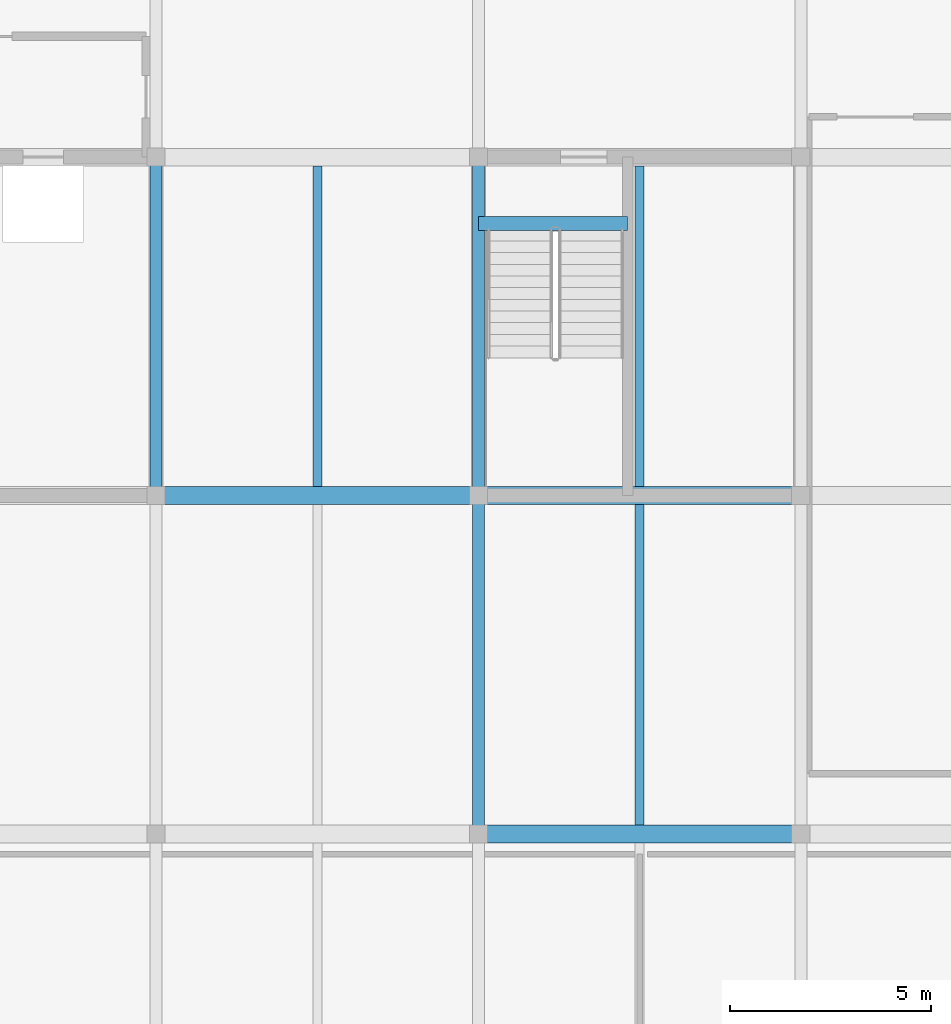
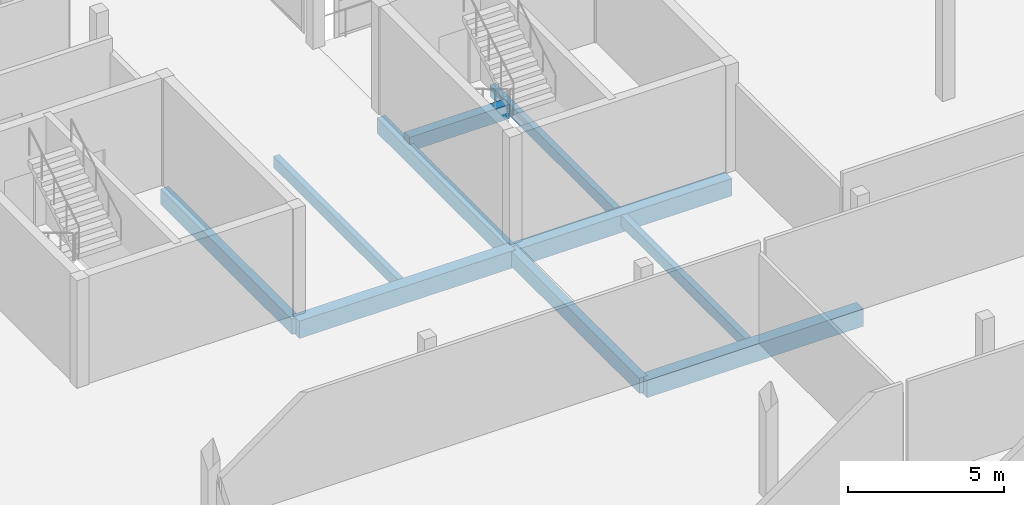
# One storey, part 18 of 53: 10 beams.
"""IFC4 building model written with IfcOpenShell, lengths in metres."""

from ifc_helpers import new_model, si_unit, direction, frame, origin, origin_2d, place, context, subcontext, project, spatial, rectangle, extrude, material, material_profile, profile_set, type_object, element, save


model = new_model("IFC4")

# Units and contexts
model_context = context("Model", 3, precision=1e-05, world=origin(), true_north=direction((0.0, 1.0)))
body_context = subcontext(model_context, "Body", "Model", "MODEL_VIEW")
ifc_project = project(units=[si_unit("LENGTHUNIT", "METRE"), si_unit("AREAUNIT", "SQUARE_METRE"), si_unit("VOLUMEUNIT", "CUBIC_METRE"), si_unit("PLANEANGLEUNIT", "RADIAN"), si_unit("MASSUNIT", "GRAM", prefix="KILO")], contexts=[model_context])

# Site, building, storey
site_placement = place(None, origin())
site = spatial("IfcSite", under=ifc_project, at=site_placement, CompositionType="ELEMENT")
building_placement = place(site_placement, origin())
building = spatial("IfcBuilding", under=site, at=building_placement, Name="Vharandega Faculty of Natural Sciences", CompositionType="ELEMENT")
storey_placement = place(building_placement, frame((0.0, 0.0, 10.199951171875)))
storey = spatial("IfcBuildingStorey", under=building, at=storey_placement, Name="L02", CompositionType="ELEMENT", Elevation=10.199951171875)

# Beams
ifc_material_1 = material(Name="Glulam GL28h", Category="wood")
ifc_material_profile_1 = material_profile(ifc_material_1, rectangle(XDim=0.300048828125, YDim=0.60009765625, at=origin_2d()), Name="GL28h 300x600")
ifc_profile_set_1 = profile_set([ifc_material_profile_1], Name="Glulam GL28h")
beam_type_1 = type_object("IfcBeamType", Name="Glulam Floor Beam 300x600", PredefinedType="BEAM", material=ifc_profile_set_1)
beam_1_placement = place(storey_placement, frame((16.0, 72.39990234375, -0.56005859375), z_axis=(0.0, 1.0, 0.0), x_axis=(-1.0, 0.0, 0.0)))
element("IfcBeam", 1, at=beam_1_placement, inside=storey, type_object=beam_type_1, Name="Beam L02 3/K-L", PredefinedType="BEAM", context=body_context, shape_type="SweptSolid", body=[
    extrude(rectangle(XDim=0.300048828125, YDim=0.60009765625, at=origin_2d()), origin(), (0.0, 0.0, 1.0), 8.400146484375),
])
beam_2_placement = place(storey_placement, frame((24.0, 64.0, -0.579833984375), z_axis=(0.0, 1.0, 0.0), x_axis=(-1.0, 0.0, 0.0)))
element("IfcBeam", 2, at=beam_2_placement, inside=storey, type_object=beam_type_1, Name="Beam L02 4/J-K", PredefinedType="BEAM", context=body_context, shape_type="SweptSolid", body=[
    extrude(rectangle(XDim=0.300048828125, YDim=0.60009765625, at=origin_2d()), origin(), (0.0, 0.0, 1.0), 8.39990234375),
])
beam_3_placement = place(storey_placement, frame((24.0, 72.39990234375, -0.579833984375), z_axis=(0.0, 1.0, 0.0), x_axis=(-1.0, 0.0, 0.0)))
element("IfcBeam", 3, at=beam_3_placement, inside=storey, type_object=beam_type_1, Name="Beam L02 4/K-L", PredefinedType="BEAM", context=body_context, shape_type="SweptSolid", body=[
    extrude(rectangle(XDim=0.300048828125, YDim=0.60009765625, at=origin_2d()), origin(), (0.0, 0.0, 1.0), 8.400146484375),
])
ifc_material_2 = material(Name="Glulam GL32h", Category="wood")
ifc_material_profile_2 = material_profile(ifc_material_2, rectangle(XDim=0.43994140625, YDim=0.679931640625, at=origin_2d()), Name="GL32h 440x680")
ifc_profile_set_2 = profile_set([ifc_material_profile_2], Name="Glulam GL32h")
beam_type_2 = type_object("IfcBeamType", Name="Glulam Girder 440x680", PredefinedType="BEAM", material=ifc_profile_set_2)
for number, where, z_axis, x_axis, name in (
    (4, (24.0, 64.0, -0.619873046875), (1.0, 0.0, 0.0), (0.0, 1.0, 0.0), "Beam L02 J/4-5"),
    (5, (16.0, 72.39990234375, -0.599853515625), (1.0, 0.0, 0.0), (0.0, 1.0, 0.0), "Beam L02 K/3-4"),
    (6, (24.0, 72.39990234375, -0.619873046875), (1.0, 0.0, 0.0), (0.0, 1.0, 0.0), "Beam L02 K/4-5"),
):
    element("IfcBeam", number, at=place(storey_placement, frame(where, z_axis=z_axis, x_axis=x_axis)), inside=storey, type_object=beam_type_2, Name=name, PredefinedType="BEAM", context=body_context, shape_type="SweptSolid", body=[
        extrude(rectangle(XDim=0.43994140625, YDim=0.679931640625, at=origin_2d()), origin(), (0.0, 0.0, 1.0), 8.0),
    ])
ifc_material_3 = material(Name="Glulam GL28h", Category="wood")
ifc_material_profile_3 = material_profile(ifc_material_3, rectangle(XDim=0.219970703125, YDim=0.43994140625, at=origin_2d()), Name="GL28h 220x440")
ifc_profile_set_3 = profile_set([ifc_material_profile_3], Name="Glulam GL28h")
beam_type_3 = type_object("IfcBeamType", Name="Glulam Secondary Joist 220x440", PredefinedType="JOIST", material=ifc_profile_set_3)
for number, where, z_axis, x_axis, name in (
    (7, (20.0, 72.6201171875, -0.47998046875), (0.0, 1.0, 0.0), (-1.0, 0.0, 0.0), "Secondary Joist L02 3-4/K-L"),
    (8, (28.0, 64.219970703125, -0.5), (0.0, 1.0, 0.0), (-1.0, 0.0, 0.0), "Secondary Joist L02 4-5/J-K"),
    (9, (28.0, 72.6201171875, -0.5), (0.0, 1.0, 0.0), (-1.0, 0.0, 0.0), "Secondary Joist L02 4-5/K-L"),
):
    element("IfcBeam", number, at=place(storey_placement, frame(where, z_axis=z_axis, x_axis=x_axis)), inside=storey, type_object=beam_type_3, Name=name, PredefinedType="JOIST", context=body_context, shape_type="SweptSolid", body=[
        extrude(rectangle(XDim=0.219970703125, YDim=0.43994140625, at=origin_2d()), origin(), (0.0, 0.0, 1.0), 7.9599609375),
    ])
ifc_material_4 = material(Name="Concrete C40/50", Category="concrete")
ifc_material_profile_4 = material_profile(ifc_material_4, rectangle(XDim=0.35009765625, YDim=0.550048828125, at=origin_2d()), Name="RC 350x550")
ifc_profile_set_4 = profile_set([ifc_material_profile_4], Name="Concrete C40/50")
beam_type_4 = type_object("IfcBeamType", Name="Stair Header Trimmer Beam 350x550", PredefinedType="BEAM", material=ifc_profile_set_4)
beam_4_placement = place(storey_placement, frame((24.0, 79.14990234375, -0.27490234375), z_axis=(1.0, 0.0, 0.0), x_axis=(0.0, 1.0, 0.0)))
element("IfcBeam", 10, at=beam_4_placement, inside=storey, type_object=beam_type_4, Name="Stair Landing Trimmer Beam C6 L02", PredefinedType="BEAM", context=body_context, shape_type="SweptSolid", body=[
    extrude(rectangle(XDim=0.35009765625, YDim=0.550048828125, at=origin_2d()), origin(), (0.0, 0.0, 1.0), 3.699951171875),
])

save(model, "model.ifc")
